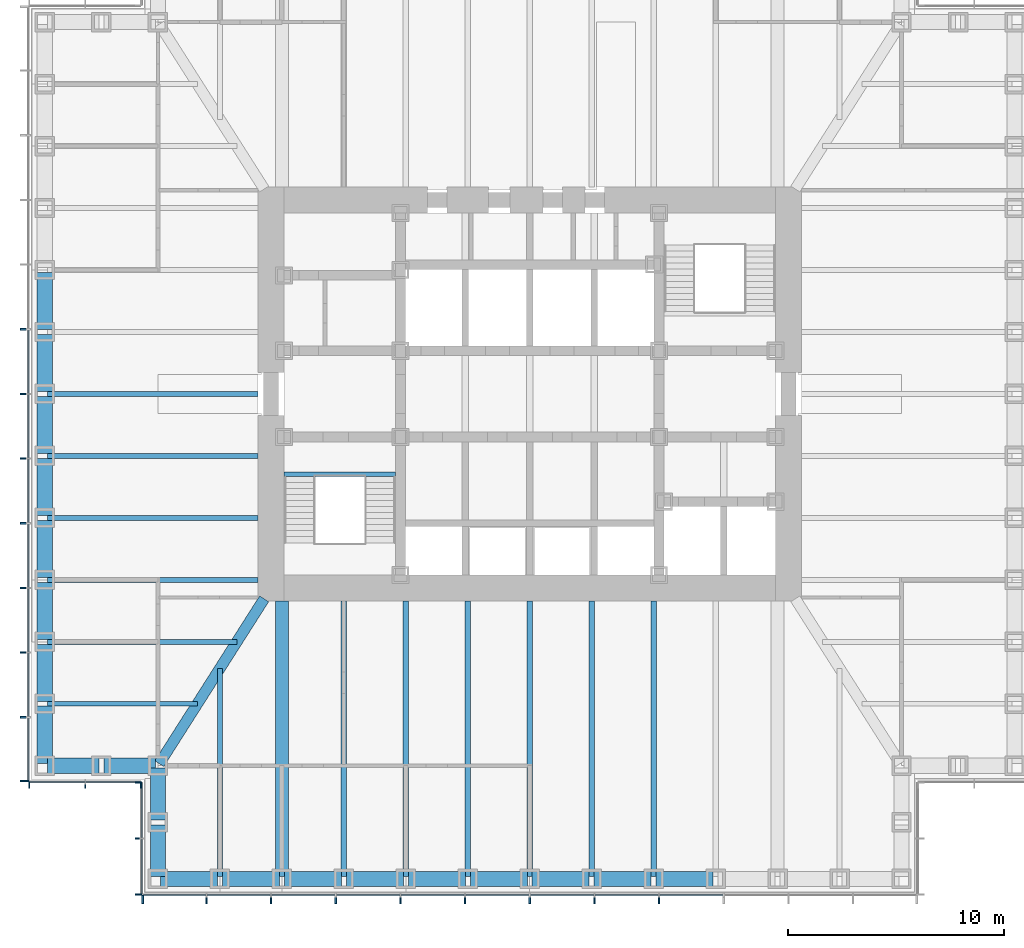
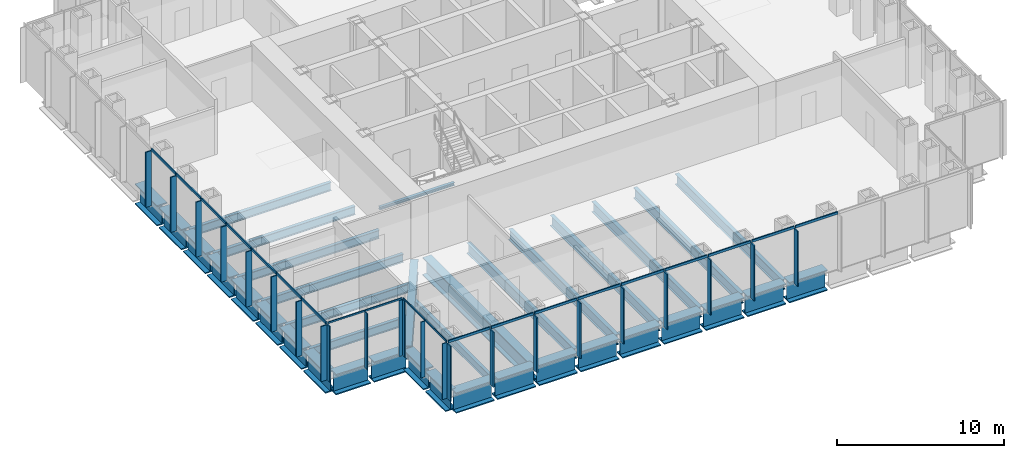
# One storey, part 2 of 17: 43 members, 37 beams, 4 elements without a shape of their own.
"""IFC4 building model written with IfcOpenShell, lengths in metres."""

from ifc_helpers import new_model, si_unit, direction, frame, origin, origin_2d, place, context, subcontext, project, spatial, rectangle, i_section, extrude, material, material_profile, profile_set, type_object, element, aggregate, save


model = new_model("IFC4")

# Units and contexts
model_context = context("Model", 3, precision=1e-05, world=origin(), true_north=direction((0.0, 1.0)))
body_context = subcontext(model_context, "Body", "Model", "MODEL_VIEW")
ifc_project = project(units=[si_unit("LENGTHUNIT", "METRE"), si_unit("AREAUNIT", "SQUARE_METRE"), si_unit("VOLUMEUNIT", "CUBIC_METRE"), si_unit("PLANEANGLEUNIT", "RADIAN"), si_unit("MASSUNIT", "GRAM", prefix="KILO")], contexts=[model_context])

# Site, building, storey
site_placement = place(None, origin())
site = spatial("IfcSite", under=ifc_project, at=site_placement, CompositionType="ELEMENT")
building_placement = place(site_placement, origin())
building = spatial("IfcBuilding", under=site, at=building_placement, Name="Daluyong Arena Tower", CompositionType="ELEMENT")
storey_placement = place(building_placement, frame((0.0, 0.0, 158.5)))
storey = spatial("IfcBuildingStorey", under=building, at=storey_placement, Name="L35", CompositionType="ELEMENT", Elevation=158.5)

# Curtain wall, members
ifc_material_1 = material(Name="Bronze anodised aluminium and glass", Category="aluminium")
curtain_wall_type_1 = type_object("IfcCurtainWallType", Name="Curtain wall CW2", PredefinedType="USERDEFINED", material=ifc_material_1)
curtain_wall_1_placement = place(storey_placement, origin())
curtain_wall_1 = element("IfcCurtainWall", 1, at=curtain_wall_1_placement, inside=storey, type_object=curtain_wall_type_1, Name="curtain wall L35 S", ObjectType="UNITISED CURTAIN WALL", PredefinedType="USERDEFINED")
ifc_material_2 = material(Name="Bronze anodised aluminium fin", Category="aluminium")
ifc_material_profile_1 = material_profile(ifc_material_2, rectangle(XDim=0.39990234375, YDim=0.080078125, at=origin_2d()))
ifc_profile_set_1 = profile_set([ifc_material_profile_1], Name="Bronze anodised aluminium fin")
member_type_1 = type_object("IfcMemberType", Name="CW2 bronze fin 400x80", PredefinedType="MULLION", material=ifc_profile_set_1)
member_1_placement = place(storey_placement, frame((38.0400390625, 56.550048828125, 0.0), z_axis=(0.0, 0.0, 1.0), x_axis=(0.0, 1.0, 0.0)))
member_1 = element("IfcMember", 2, at=member_1_placement, type_object=member_type_1, Name="curtain wall L35 S fin 1", PredefinedType="MULLION", context=body_context, shape_type="SweptSolid", body=[
    extrude(rectangle(XDim=0.39990234375, YDim=0.080078125, at=origin_2d()), origin(), (0.0, 0.0, 1.0), 4.02001953125),
])
member_2_placement = place(storey_placement, frame((41.0, 56.550048828125, 0.0), z_axis=(0.0, 0.0, 1.0), x_axis=(0.0, 1.0, 0.0)))
member_2 = element("IfcMember", 3, at=member_2_placement, type_object=member_type_1, Name="curtain wall L35 S fin 2", PredefinedType="MULLION", context=body_context, shape_type="SweptSolid", body=[
    extrude(rectangle(XDim=0.39990234375, YDim=0.080078125, at=origin_2d()), origin(), (0.0, 0.0, 1.0), 4.02001953125),
])
member_3_placement = place(storey_placement, frame((44.0, 56.550048828125, 0.0), z_axis=(0.0, 0.0, 1.0), x_axis=(0.0, 1.0, 0.0)))
member_3 = element("IfcMember", 4, at=member_3_placement, type_object=member_type_1, Name="curtain wall L35 S fin 3", PredefinedType="MULLION", context=body_context, shape_type="SweptSolid", body=[
    extrude(rectangle(XDim=0.39990234375, YDim=0.080078125, at=origin_2d()), origin(), (0.0, 0.0, 1.0), 4.02001953125),
])
member_4_placement = place(storey_placement, frame((47.0, 56.550048828125, 0.0), z_axis=(0.0, 0.0, 1.0), x_axis=(0.0, 1.0, 0.0)))
member_4 = element("IfcMember", 5, at=member_4_placement, type_object=member_type_1, Name="curtain wall L35 S fin 4", PredefinedType="MULLION", context=body_context, shape_type="SweptSolid", body=[
    extrude(rectangle(XDim=0.39990234375, YDim=0.080078125, at=origin_2d()), origin(), (0.0, 0.0, 1.0), 4.02001953125),
])
member_5_placement = place(storey_placement, frame((50.0, 56.550048828125, 0.0), z_axis=(0.0, 0.0, 1.0), x_axis=(0.0, 1.0, 0.0)))
member_5 = element("IfcMember", 6, at=member_5_placement, type_object=member_type_1, Name="curtain wall L35 S fin 5", PredefinedType="MULLION", context=body_context, shape_type="SweptSolid", body=[
    extrude(rectangle(XDim=0.39990234375, YDim=0.080078125, at=origin_2d()), origin(), (0.0, 0.0, 1.0), 4.02001953125),
])
member_6_placement = place(storey_placement, frame((53.0, 56.550048828125, 0.0), z_axis=(0.0, 0.0, 1.0), x_axis=(0.0, 1.0, 0.0)))
member_6 = element("IfcMember", 7, at=member_6_placement, type_object=member_type_1, Name="curtain wall L35 S fin 6", PredefinedType="MULLION", context=body_context, shape_type="SweptSolid", body=[
    extrude(rectangle(XDim=0.39990234375, YDim=0.080078125, at=origin_2d()), origin(), (0.0, 0.0, 1.0), 4.02001953125),
])
member_7_placement = place(storey_placement, frame((56.0, 56.550048828125, 0.0), z_axis=(0.0, 0.0, 1.0), x_axis=(0.0, 1.0, 0.0)))
member_7 = element("IfcMember", 8, at=member_7_placement, type_object=member_type_1, Name="curtain wall L35 S fin 7", PredefinedType="MULLION", context=body_context, shape_type="SweptSolid", body=[
    extrude(rectangle(XDim=0.39990234375, YDim=0.080078125, at=origin_2d()), origin(), (0.0, 0.0, 1.0), 4.02001953125),
])
member_8_placement = place(storey_placement, frame((59.0, 56.550048828125, 0.0), z_axis=(0.0, 0.0, 1.0), x_axis=(0.0, 1.0, 0.0)))
member_8 = element("IfcMember", 9, at=member_8_placement, type_object=member_type_1, Name="curtain wall L35 S fin 8", PredefinedType="MULLION", context=body_context, shape_type="SweptSolid", body=[
    extrude(rectangle(XDim=0.39990234375, YDim=0.080078125, at=origin_2d()), origin(), (0.0, 0.0, 1.0), 4.02001953125),
])
member_9_placement = place(storey_placement, frame((62.0, 56.550048828125, 0.0), z_axis=(0.0, 0.0, 1.0), x_axis=(0.0, 1.0, 0.0)))
member_9 = element("IfcMember", 10, at=member_9_placement, type_object=member_type_1, Name="curtain wall L35 S fin 9", PredefinedType="MULLION", context=body_context, shape_type="SweptSolid", body=[
    extrude(rectangle(XDim=0.39990234375, YDim=0.080078125, at=origin_2d()), origin(), (0.0, 0.0, 1.0), 4.02001953125),
])

curtain_wall_2_placement = place(storey_placement, origin())
curtain_wall_2 = element("IfcCurtainWall", 11, at=curtain_wall_2_placement, inside=storey, type_object=curtain_wall_type_1, Name="curtain wall L35 W", ObjectType="UNITISED CURTAIN WALL", PredefinedType="USERDEFINED")
member_10_placement = place(storey_placement, frame((32.550048828125, 83.0, 0.0), z_axis=(0.0, 0.0, 1.0), x_axis=(1.0, 0.0, 0.0)))
member_10 = element("IfcMember", 12, at=member_10_placement, type_object=member_type_1, Name="curtain wall L35 W fin 6", PredefinedType="MULLION", context=body_context, shape_type="SweptSolid", body=[
    extrude(rectangle(XDim=0.39990234375, YDim=0.080078125, at=origin_2d()), origin(), (0.0, 0.0, 1.0), 4.02001953125),
])
member_11_placement = place(storey_placement, frame((32.550048828125, 80.0, 0.0), z_axis=(0.0, 0.0, 1.0), x_axis=(1.0, 0.0, 0.0)))
member_11 = element("IfcMember", 13, at=member_11_placement, type_object=member_type_1, Name="curtain wall L35 W fin 7", PredefinedType="MULLION", context=body_context, shape_type="SweptSolid", body=[
    extrude(rectangle(XDim=0.39990234375, YDim=0.080078125, at=origin_2d()), origin(), (0.0, 0.0, 1.0), 4.02001953125),
])
member_12_placement = place(storey_placement, frame((32.550048828125, 77.0, 0.0), z_axis=(0.0, 0.0, 1.0), x_axis=(1.0, 0.0, 0.0)))
member_12 = element("IfcMember", 14, at=member_12_placement, type_object=member_type_1, Name="curtain wall L35 W fin 8", PredefinedType="MULLION", context=body_context, shape_type="SweptSolid", body=[
    extrude(rectangle(XDim=0.39990234375, YDim=0.080078125, at=origin_2d()), origin(), (0.0, 0.0, 1.0), 4.02001953125),
])
member_13_placement = place(storey_placement, frame((32.550048828125, 74.0, 0.0), z_axis=(0.0, 0.0, 1.0), x_axis=(1.0, 0.0, 0.0)))
member_13 = element("IfcMember", 15, at=member_13_placement, type_object=member_type_1, Name="curtain wall L35 W fin 9", PredefinedType="MULLION", context=body_context, shape_type="SweptSolid", body=[
    extrude(rectangle(XDim=0.39990234375, YDim=0.080078125, at=origin_2d()), origin(), (0.0, 0.0, 1.0), 4.02001953125),
])
member_14_placement = place(storey_placement, frame((32.550048828125, 71.0, 0.0), z_axis=(0.0, 0.0, 1.0), x_axis=(1.0, 0.0, 0.0)))
member_14 = element("IfcMember", 16, at=member_14_placement, type_object=member_type_1, Name="curtain wall L35 W fin 10", PredefinedType="MULLION", context=body_context, shape_type="SweptSolid", body=[
    extrude(rectangle(XDim=0.39990234375, YDim=0.080078125, at=origin_2d()), origin(), (0.0, 0.0, 1.0), 4.02001953125),
])
member_15_placement = place(storey_placement, frame((32.550048828125, 68.0, 0.0), z_axis=(0.0, 0.0, 1.0), x_axis=(1.0, 0.0, 0.0)))
member_15 = element("IfcMember", 17, at=member_15_placement, type_object=member_type_1, Name="curtain wall L35 W fin 11", PredefinedType="MULLION", context=body_context, shape_type="SweptSolid", body=[
    extrude(rectangle(XDim=0.39990234375, YDim=0.080078125, at=origin_2d()), origin(), (0.0, 0.0, 1.0), 4.02001953125),
])
member_16_placement = place(storey_placement, frame((32.550048828125, 65.0, 0.0), z_axis=(0.0, 0.0, 1.0), x_axis=(1.0, 0.0, 0.0)))
member_16 = element("IfcMember", 18, at=member_16_placement, type_object=member_type_1, Name="curtain wall L35 W fin 12", PredefinedType="MULLION", context=body_context, shape_type="SweptSolid", body=[
    extrude(rectangle(XDim=0.39990234375, YDim=0.080078125, at=origin_2d()), origin(), (0.0, 0.0, 1.0), 4.02001953125),
])
member_17_placement = place(storey_placement, frame((32.550048828125, 62.0400390625, 0.0), z_axis=(0.0, 0.0, 1.0), x_axis=(1.0, 0.0, 0.0)))
member_17 = element("IfcMember", 19, at=member_17_placement, type_object=member_type_1, Name="curtain wall L35 W fin 13", PredefinedType="MULLION", context=body_context, shape_type="SweptSolid", body=[
    extrude(rectangle(XDim=0.39990234375, YDim=0.080078125, at=origin_2d()), origin(), (0.0, 0.0, 1.0), 4.02001953125),
])

# Member
ifc_material_3 = material(Name="Bronze anodised aluminium", Category="aluminium")
ifc_material_profile_2 = material_profile(ifc_material_3, rectangle(XDim=0.080078125, YDim=0.179931640625, at=origin_2d()))
ifc_profile_set_2 = profile_set([ifc_material_profile_2], Name="Bronze anodised aluminium")
member_type_2 = type_object("IfcMemberType", Name="CW2 stack transom 180x80", PredefinedType="USERDEFINED", material=ifc_profile_set_2)
member_18_placement = place(storey_placement, frame((38.080078125, 56.75, 4.110107421875), z_axis=(1.0, 0.0, 0.0), x_axis=(0.0, 1.0, 0.0)))
member_18 = element("IfcMember", 20, at=member_18_placement, type_object=member_type_2, Name="curtain wall L35 S transom 1", ObjectType="TRANSOM", PredefinedType="USERDEFINED", context=body_context, shape_type="SweptSolid", body=[
    extrude(rectangle(XDim=0.080078125, YDim=0.179931640625, at=origin_2d()), origin(), (0.0, 0.0, 1.0), 2.8798828125),
])

member_19_placement = place(storey_placement, frame((41.0400390625, 56.75, 4.110107421875), z_axis=(1.0, 0.0, 0.0), x_axis=(0.0, 1.0, 0.0)))
member_19 = element("IfcMember", 21, at=member_19_placement, type_object=member_type_2, Name="curtain wall L35 S transom 2", ObjectType="TRANSOM", PredefinedType="USERDEFINED", context=body_context, shape_type="SweptSolid", body=[
    extrude(rectangle(XDim=0.080078125, YDim=0.179931640625, at=origin_2d()), origin(), (0.0, 0.0, 1.0), 2.919921875),
])

member_20_placement = place(storey_placement, frame((44.0400390625, 56.75, 4.110107421875), z_axis=(1.0, 0.0, 0.0), x_axis=(0.0, 1.0, 0.0)))
member_20 = element("IfcMember", 22, at=member_20_placement, type_object=member_type_2, Name="curtain wall L35 S transom 3", ObjectType="TRANSOM", PredefinedType="USERDEFINED", context=body_context, shape_type="SweptSolid", body=[
    extrude(rectangle(XDim=0.080078125, YDim=0.179931640625, at=origin_2d()), origin(), (0.0, 0.0, 1.0), 2.919921875),
])

member_21_placement = place(storey_placement, frame((47.0400390625, 56.75, 4.110107421875), z_axis=(1.0, 0.0, 0.0), x_axis=(0.0, 1.0, 0.0)))
member_21 = element("IfcMember", 23, at=member_21_placement, type_object=member_type_2, Name="curtain wall L35 S transom 4", ObjectType="TRANSOM", PredefinedType="USERDEFINED", context=body_context, shape_type="SweptSolid", body=[
    extrude(rectangle(XDim=0.080078125, YDim=0.179931640625, at=origin_2d()), origin(), (0.0, 0.0, 1.0), 2.919921875),
])

member_22_placement = place(storey_placement, frame((50.0400390625, 56.75, 4.110107421875), z_axis=(1.0, 0.0, 0.0), x_axis=(0.0, 1.0, 0.0)))
member_22 = element("IfcMember", 24, at=member_22_placement, type_object=member_type_2, Name="curtain wall L35 S transom 5", ObjectType="TRANSOM", PredefinedType="USERDEFINED", context=body_context, shape_type="SweptSolid", body=[
    extrude(rectangle(XDim=0.080078125, YDim=0.179931640625, at=origin_2d()), origin(), (0.0, 0.0, 1.0), 2.919921875),
])

member_23_placement = place(storey_placement, frame((53.0400390625, 56.75, 4.110107421875), z_axis=(1.0, 0.0, 0.0), x_axis=(0.0, 1.0, 0.0)))
member_23 = element("IfcMember", 25, at=member_23_placement, type_object=member_type_2, Name="curtain wall L35 S transom 6", ObjectType="TRANSOM", PredefinedType="USERDEFINED", context=body_context, shape_type="SweptSolid", body=[
    extrude(rectangle(XDim=0.080078125, YDim=0.179931640625, at=origin_2d()), origin(), (0.0, 0.0, 1.0), 2.919921875),
])

member_24_placement = place(storey_placement, frame((56.0400390625, 56.75, 4.110107421875), z_axis=(1.0, 0.0, 0.0), x_axis=(0.0, 1.0, 0.0)))
member_24 = element("IfcMember", 26, at=member_24_placement, type_object=member_type_2, Name="curtain wall L35 S transom 7", ObjectType="TRANSOM", PredefinedType="USERDEFINED", context=body_context, shape_type="SweptSolid", body=[
    extrude(rectangle(XDim=0.080078125, YDim=0.179931640625, at=origin_2d()), origin(), (0.0, 0.0, 1.0), 2.919921875),
])

member_25_placement = place(storey_placement, frame((59.0400390625, 56.75, 4.110107421875), z_axis=(1.0, 0.0, 0.0), x_axis=(0.0, 1.0, 0.0)))
member_25 = element("IfcMember", 27, at=member_25_placement, type_object=member_type_2, Name="curtain wall L35 S transom 8", ObjectType="TRANSOM", PredefinedType="USERDEFINED", context=body_context, shape_type="SweptSolid", body=[
    extrude(rectangle(XDim=0.080078125, YDim=0.179931640625, at=origin_2d()), origin(), (0.0, 0.0, 1.0), 2.919921875),
])

member_26_placement = place(storey_placement, frame((62.0400390625, 56.75, 4.110107421875), z_axis=(1.0, 0.0, 0.0), x_axis=(0.0, 1.0, 0.0)))
member_26 = element("IfcMember", 28, at=member_26_placement, type_object=member_type_2, Name="curtain wall L35 S transom 9", ObjectType="TRANSOM", PredefinedType="USERDEFINED", context=body_context, shape_type="SweptSolid", body=[
    extrude(rectangle(XDim=0.080078125, YDim=0.179931640625, at=origin_2d()), origin(), (0.0, 0.0, 1.0), 2.919921875),
])

aggregate(curtain_wall_1, [member_1, member_2, member_3, member_4, member_5, member_6, member_7, member_8, member_9, member_18, member_19, member_20, member_21, member_22, member_23, member_24, member_25, member_26])

member_27_placement = place(storey_placement, frame((32.75, 82.9599609375, 4.110107421875), z_axis=(0.0, -1.0, 0.0), x_axis=(1.0, 0.0, 0.0)))
member_27 = element("IfcMember", 29, at=member_27_placement, type_object=member_type_2, Name="curtain wall L35 W transom 6", ObjectType="TRANSOM", PredefinedType="USERDEFINED", context=body_context, shape_type="SweptSolid", body=[
    extrude(rectangle(XDim=0.080078125, YDim=0.179931640625, at=origin_2d()), origin(), (0.0, 0.0, 1.0), 2.919921875),
])

member_28_placement = place(storey_placement, frame((32.75, 79.9599609375, 4.110107421875), z_axis=(0.0, -1.0, 0.0), x_axis=(1.0, 0.0, 0.0)))
member_28 = element("IfcMember", 30, at=member_28_placement, type_object=member_type_2, Name="curtain wall L35 W transom 7", ObjectType="TRANSOM", PredefinedType="USERDEFINED", context=body_context, shape_type="SweptSolid", body=[
    extrude(rectangle(XDim=0.080078125, YDim=0.179931640625, at=origin_2d()), origin(), (0.0, 0.0, 1.0), 2.919921875),
])

member_29_placement = place(storey_placement, frame((32.75, 76.9599609375, 4.110107421875), z_axis=(0.0, -1.0, 0.0), x_axis=(1.0, 0.0, 0.0)))
member_29 = element("IfcMember", 31, at=member_29_placement, type_object=member_type_2, Name="curtain wall L35 W transom 8", ObjectType="TRANSOM", PredefinedType="USERDEFINED", context=body_context, shape_type="SweptSolid", body=[
    extrude(rectangle(XDim=0.080078125, YDim=0.179931640625, at=origin_2d()), origin(), (0.0, 0.0, 1.0), 2.919921875),
])

member_30_placement = place(storey_placement, frame((32.75, 73.9599609375, 4.110107421875), z_axis=(0.0, -1.0, 0.0), x_axis=(1.0, 0.0, 0.0)))
member_30 = element("IfcMember", 32, at=member_30_placement, type_object=member_type_2, Name="curtain wall L35 W transom 9", ObjectType="TRANSOM", PredefinedType="USERDEFINED", context=body_context, shape_type="SweptSolid", body=[
    extrude(rectangle(XDim=0.080078125, YDim=0.179931640625, at=origin_2d()), origin(), (0.0, 0.0, 1.0), 2.919921875),
])

member_31_placement = place(storey_placement, frame((32.75, 70.9599609375, 4.110107421875), z_axis=(0.0, -1.0, 0.0), x_axis=(1.0, 0.0, 0.0)))
member_31 = element("IfcMember", 33, at=member_31_placement, type_object=member_type_2, Name="curtain wall L35 W transom 10", ObjectType="TRANSOM", PredefinedType="USERDEFINED", context=body_context, shape_type="SweptSolid", body=[
    extrude(rectangle(XDim=0.080078125, YDim=0.179931640625, at=origin_2d()), origin(), (0.0, 0.0, 1.0), 2.919921875),
])

member_32_placement = place(storey_placement, frame((32.75, 67.9599609375, 4.110107421875), z_axis=(0.0, -1.0, 0.0), x_axis=(1.0, 0.0, 0.0)))
member_32 = element("IfcMember", 34, at=member_32_placement, type_object=member_type_2, Name="curtain wall L35 W transom 11", ObjectType="TRANSOM", PredefinedType="USERDEFINED", context=body_context, shape_type="SweptSolid", body=[
    extrude(rectangle(XDim=0.080078125, YDim=0.179931640625, at=origin_2d()), origin(), (0.0, 0.0, 1.0), 2.919921875),
])

member_33_placement = place(storey_placement, frame((32.75, 64.9599609375, 4.110107421875), z_axis=(0.0, -1.0, 0.0), x_axis=(1.0, 0.0, 0.0)))
member_33 = element("IfcMember", 35, at=member_33_placement, type_object=member_type_2, Name="curtain wall L35 W transom 12", ObjectType="TRANSOM", PredefinedType="USERDEFINED", context=body_context, shape_type="SweptSolid", body=[
    extrude(rectangle(XDim=0.080078125, YDim=0.179931640625, at=origin_2d()), origin(), (0.0, 0.0, 1.0), 2.8798828125),
])

aggregate(curtain_wall_2, [member_10, member_11, member_12, member_13, member_14, member_15, member_16, member_17, member_27, member_28, member_29, member_30, member_31, member_32, member_33])

# Curtain wall, members
ifc_material_4 = material(Name="Bronze anodised aluminium and glass", Category="aluminium")
curtain_wall_type_2 = type_object("IfcCurtainWallType", Name="Curtain wall CW7", PredefinedType="USERDEFINED", material=ifc_material_4)
curtain_wall_3_placement = place(storey_placement, origin())
curtain_wall_3 = element("IfcCurtainWall", 36, at=curtain_wall_3_placement, inside=storey, type_object=curtain_wall_type_2, Name="curtain wall L35 SW-S", ObjectType="UNITISED CURTAIN WALL", PredefinedType="USERDEFINED")
ifc_material_5 = material(Name="Bronze anodised aluminium fin", Category="aluminium")
ifc_material_profile_3 = material_profile(ifc_material_5, rectangle(XDim=0.300048828125, YDim=0.06005859375, at=origin_2d()))
ifc_profile_set_3 = profile_set([ifc_material_profile_3], Name="Bronze anodised aluminium fin")
member_type_3 = type_object("IfcMemberType", Name="CW7 bronze fin 300x60", PredefinedType="MULLION", material=ifc_profile_set_3)
member_34_placement = place(storey_placement, frame((32.780029296875, 61.85009765625, 0.0), z_axis=(0.0, 0.0, 1.0), x_axis=(0.0, 1.0, 0.0)))
member_34 = element("IfcMember", 37, at=member_34_placement, type_object=member_type_3, Name="curtain wall L35 SW-S fin 1", PredefinedType="MULLION", context=body_context, shape_type="SweptSolid", body=[
    extrude(rectangle(XDim=0.300048828125, YDim=0.06005859375, at=origin_2d()), origin(), (0.0, 0.0, 1.0), 4.080078125),
])
member_35_placement = place(storey_placement, frame((35.375, 61.85009765625, 0.0), z_axis=(0.0, 0.0, 1.0), x_axis=(0.0, 1.0, 0.0)))
member_35 = element("IfcMember", 38, at=member_35_placement, type_object=member_type_3, Name="curtain wall L35 SW-S fin 2", PredefinedType="MULLION", context=body_context, shape_type="SweptSolid", body=[
    extrude(rectangle(XDim=0.300048828125, YDim=0.06005859375, at=origin_2d()), origin(), (0.0, 0.0, 1.0), 4.080078125),
])
member_36_placement = place(storey_placement, frame((37.969970703125, 61.85009765625, 0.0), z_axis=(0.0, 0.0, 1.0), x_axis=(0.0, 1.0, 0.0)))
member_36 = element("IfcMember", 39, at=member_36_placement, type_object=member_type_3, Name="curtain wall L35 SW-S fin 3", PredefinedType="MULLION", context=body_context, shape_type="SweptSolid", body=[
    extrude(rectangle(XDim=0.300048828125, YDim=0.06005859375, at=origin_2d()), origin(), (0.0, 0.0, 1.0), 4.080078125),
])

curtain_wall_4_placement = place(storey_placement, origin())
curtain_wall_4 = element("IfcCurtainWall", 40, at=curtain_wall_4_placement, inside=storey, type_object=curtain_wall_type_2, Name="curtain wall L35 SW-W", ObjectType="UNITISED CURTAIN WALL", PredefinedType="USERDEFINED")
member_37_placement = place(storey_placement, frame((37.85009765625, 61.969970703125, 0.0), z_axis=(0.0, 0.0, 1.0), x_axis=(1.0, 0.0, 0.0)))
member_37 = element("IfcMember", 41, at=member_37_placement, type_object=member_type_3, Name="curtain wall L35 SW-W fin 1", PredefinedType="MULLION", context=body_context, shape_type="SweptSolid", body=[
    extrude(rectangle(XDim=0.300048828125, YDim=0.06005859375, at=origin_2d()), origin(), (0.0, 0.0, 1.0), 4.080078125),
])
member_38_placement = place(storey_placement, frame((37.85009765625, 59.375, 0.0), z_axis=(0.0, 0.0, 1.0), x_axis=(1.0, 0.0, 0.0)))
member_38 = element("IfcMember", 42, at=member_38_placement, type_object=member_type_3, Name="curtain wall L35 SW-W fin 2", PredefinedType="MULLION", context=body_context, shape_type="SweptSolid", body=[
    extrude(rectangle(XDim=0.300048828125, YDim=0.06005859375, at=origin_2d()), origin(), (0.0, 0.0, 1.0), 4.080078125),
])
member_39_placement = place(storey_placement, frame((37.85009765625, 56.780029296875, 0.0), z_axis=(0.0, 0.0, 1.0), x_axis=(1.0, 0.0, 0.0)))
member_39 = element("IfcMember", 43, at=member_39_placement, type_object=member_type_3, Name="curtain wall L35 SW-W fin 3", PredefinedType="MULLION", context=body_context, shape_type="SweptSolid", body=[
    extrude(rectangle(XDim=0.300048828125, YDim=0.06005859375, at=origin_2d()), origin(), (0.0, 0.0, 1.0), 4.080078125),
])

# Member
ifc_material_6 = material(Name="Bronze anodised aluminium", Category="aluminium")
ifc_material_profile_4 = material_profile(ifc_material_6, rectangle(XDim=0.06005859375, YDim=0.1201171875, at=origin_2d()))
ifc_profile_set_4 = profile_set([ifc_material_profile_4], Name="Bronze anodised aluminium")
member_type_4 = type_object("IfcMemberType", Name="CW7 stack transom 120x60", PredefinedType="USERDEFINED", material=ifc_profile_set_4)
member_40_placement = place(storey_placement, frame((32.81005859375, 62.0, 4.139892578125), z_axis=(1.0, 0.0, 0.0), x_axis=(0.0, 1.0, 0.0)))
member_40 = element("IfcMember", 44, at=member_40_placement, type_object=member_type_4, Name="curtain wall L35 SW-S transom 1", ObjectType="TRANSOM", PredefinedType="USERDEFINED", context=body_context, shape_type="SweptSolid", body=[
    extrude(rectangle(XDim=0.06005859375, YDim=0.1201171875, at=origin_2d()), origin(), (0.0, 0.0, 1.0), 2.534912109375),
])

member_41_placement = place(storey_placement, frame((35.405029296875, 62.0, 4.139892578125), z_axis=(1.0, 0.0, 0.0), x_axis=(0.0, 1.0, 0.0)))
member_41 = element("IfcMember", 45, at=member_41_placement, type_object=member_type_4, Name="curtain wall L35 SW-S transom 2", ObjectType="TRANSOM", PredefinedType="USERDEFINED", context=body_context, shape_type="SweptSolid", body=[
    extrude(rectangle(XDim=0.06005859375, YDim=0.1201171875, at=origin_2d()), origin(), (0.0, 0.0, 1.0), 2.534912109375),
])

aggregate(curtain_wall_3, [member_34, member_35, member_36, member_40, member_41])

member_42_placement = place(storey_placement, frame((38.0, 61.93994140625, 4.139892578125), z_axis=(0.0, -1.0, 0.0), x_axis=(1.0, 0.0, 0.0)))
member_42 = element("IfcMember", 46, at=member_42_placement, type_object=member_type_4, Name="curtain wall L35 SW-W transom 1", ObjectType="TRANSOM", PredefinedType="USERDEFINED", context=body_context, shape_type="SweptSolid", body=[
    extrude(rectangle(XDim=0.06005859375, YDim=0.1201171875, at=origin_2d()), origin(), (0.0, 0.0, 1.0), 2.534912109375),
])

member_43_placement = place(storey_placement, frame((38.0, 59.344970703125, 4.139892578125), z_axis=(0.0, -1.0, 0.0), x_axis=(1.0, 0.0, 0.0)))
member_43 = element("IfcMember", 47, at=member_43_placement, type_object=member_type_4, Name="curtain wall L35 SW-W transom 2", ObjectType="TRANSOM", PredefinedType="USERDEFINED", context=body_context, shape_type="SweptSolid", body=[
    extrude(rectangle(XDim=0.06005859375, YDim=0.1201171875, at=origin_2d()), origin(), (0.0, 0.0, 1.0), 2.534912109375),
])

aggregate(curtain_wall_4, [member_37, member_38, member_39, member_42, member_43])

# Beams
ifc_material_7 = material(Name="Steel ASTM A572 Grade 50", Category="steel")
ifc_material_profile_5 = material_profile(ifc_material_7, i_section(OverallWidth=0.5, OverallDepth=1.0, WebThickness=0.03, FlangeThickness=0.06, at=origin_2d()))
ifc_profile_set_5 = profile_set([ifc_material_profile_5], Name="Steel ASTM A572 Grade 50")
beam_type_1 = type_object("IfcBeamType", Name="Corner girder TB1000X500", PredefinedType="BEAM", material=ifc_profile_set_5)
beam_1_placement = place(storey_placement, frame((38.811767578125, 62.846923828125, -0.659912109375), z_axis=(0.536872006459, 0.843663705916, 0.0), x_axis=(-0.843663705916, 0.536872006459, 0.0)))
element("IfcBeam", 48, at=beam_1_placement, inside=storey, type_object=beam_type_1, Name="corner girder DG2", PredefinedType="BEAM", context=body_context, shape_type="SweptSolid", body=[
    extrude(i_section(OverallWidth=0.5, OverallDepth=1.0, WebThickness=0.03, FlangeThickness=0.06, at=origin_2d()), origin(), (0.0, 0.0, 1.0), 9.06396484375),
])
ifc_material_8 = material(Name="Steel ASTM A572 Grade 50", Category="steel")
ifc_material_profile_6 = material_profile(ifc_material_8, i_section(OverallWidth=0.60009765625, OverallDepth=1.300048828125, WebThickness=0.035, FlangeThickness=0.07, at=origin_2d()))
ifc_profile_set_6 = profile_set([ifc_material_profile_6], Name="Steel ASTM A572 Grade 50")
beam_type_2 = type_object("IfcBeamType", Name="Floor beam TB1300X600", PredefinedType="BEAM", material=ifc_profile_set_6)
beam_2_placement = place(storey_placement, frame((44.5, 57.614990234375, -0.81005859375), z_axis=(0.0, 1.0, 0.0), x_axis=(-1.0, 0.0, 0.0)))
element("IfcBeam", 49, at=beam_2_placement, inside=storey, type_object=beam_type_2, Name="floor beam FB7", PredefinedType="BEAM", context=body_context, shape_type="SweptSolid", body=[
    extrude(i_section(OverallWidth=0.60009765625, OverallDepth=1.300048828125, WebThickness=0.035, FlangeThickness=0.07, at=origin_2d()), origin(), (0.0, 0.0, 1.0), 12.784912109375),
])
ifc_material_9 = material(Name="Steel ASTM A992 Grade 50", Category="steel")
ifc_material_profile_7 = material_profile(ifc_material_9, i_section(OverallWidth=0.22900390625, OverallDepth=0.612060546875, WebThickness=0.011962890625, FlangeThickness=0.01953125, at=origin_2d()))
ifc_profile_set_7 = profile_set([ifc_material_profile_7], Name="Steel ASTM A992 Grade 50")
beam_type_3 = type_object("IfcBeamType", Name="Floor beam W24X84", PredefinedType="BEAM", material=ifc_profile_set_7)
beam_3_placement = place(storey_placement, frame((41.625, 57.614990234375, -0.466064453125), z_axis=(0.0, 1.0, 0.0), x_axis=(-1.0, 0.0, 0.0)))
element("IfcBeam", 50, at=beam_3_placement, inside=storey, type_object=beam_type_3, Name="floor beam FB3", PredefinedType="BEAM", context=body_context, shape_type="SweptSolid", body=[
    extrude(i_section(OverallWidth=0.22900390625, OverallDepth=0.612060546875, WebThickness=0.011962890625, FlangeThickness=0.01953125, at=origin_2d()), origin(), (0.0, 0.0, 1.0), 9.65283203125),
])
for number, where, z_axis, x_axis, name in (
    (51, (33.614990234375, 80.0, -0.466064453125), (1.0, 0.0, 0.0), (0.0, 1.0, 0.0), "floor beam FB3"),
    (52, (33.614990234375, 77.125, -0.466064453125), (1.0, 0.0, 0.0), (0.0, 1.0, 0.0), "floor beam FB3"),
    (53, (33.614990234375, 74.25, -0.466064453125), (1.0, 0.0, 0.0), (0.0, 1.0, 0.0), "floor beam FB3"),
    (54, (33.614990234375, 71.375, -0.466064453125), (1.0, 0.0, 0.0), (0.0, 1.0, 0.0), "floor beam FB3"),
):
    element("IfcBeam", number, at=place(storey_placement, frame(where, z_axis=z_axis, x_axis=x_axis)), inside=storey, type_object=beam_type_3, Name=name, PredefinedType="BEAM", context=body_context, shape_type="SweptSolid", body=[
        extrude(i_section(OverallWidth=0.22900390625, OverallDepth=0.612060546875, WebThickness=0.011962890625, FlangeThickness=0.01953125, at=origin_2d()), origin(), (0.0, 0.0, 1.0), 9.784912109375),
    ])
beam_4_placement = place(storey_placement, frame((33.614990234375, 68.5, -0.466064453125), z_axis=(1.0, 0.0, 0.0), x_axis=(0.0, 1.0, 0.0)))
element("IfcBeam", 55, at=beam_4_placement, inside=storey, type_object=beam_type_3, Name="floor beam FB3", PredefinedType="BEAM", context=body_context, shape_type="SweptSolid", body=[
    extrude(i_section(OverallWidth=0.22900390625, OverallDepth=0.612060546875, WebThickness=0.011962890625, FlangeThickness=0.01953125, at=origin_2d()), origin(), (0.0, 0.0, 1.0), 8.794189453125),
])
beam_5_placement = place(storey_placement, frame((33.614990234375, 65.625, -0.466064453125), z_axis=(1.0, 0.0, 0.0), x_axis=(0.0, 1.0, 0.0)))
element("IfcBeam", 56, at=beam_5_placement, inside=storey, type_object=beam_type_3, Name="floor beam FB3", PredefinedType="BEAM", context=body_context, shape_type="SweptSolid", body=[
    extrude(i_section(OverallWidth=0.22900390625, OverallDepth=0.612060546875, WebThickness=0.011962890625, FlangeThickness=0.01953125, at=origin_2d()), origin(), (0.0, 0.0, 1.0), 6.964599609375),
])
ifc_material_10 = material(Name="Steel ASTM A992 Grade 50", Category="steel")
ifc_material_profile_8 = material_profile(ifc_material_10, i_section(OverallWidth=0.2666015625, OverallDepth=0.761962890625, WebThickness=0.014404296875, FlangeThickness=0.021484375, at=origin_2d()))
ifc_profile_set_8 = profile_set([ifc_material_profile_8], Name="Steel ASTM A992 Grade 50")
beam_type_4 = type_object("IfcBeamType", Name="Floor beam W30X116", PredefinedType="BEAM", material=ifc_profile_set_8)
for number, where, z_axis, x_axis, name in (
    (57, (47.375, 57.614990234375, -0.541015625), (0.0, 1.0, 0.0), (-1.0, 0.0, 0.0), "floor beam FB4"),
    (58, (50.25, 57.614990234375, -0.541015625), (0.0, 1.0, 0.0), (-1.0, 0.0, 0.0), "floor beam FB4"),
    (59, (53.125, 57.614990234375, -0.541015625), (0.0, 1.0, 0.0), (-1.0, 0.0, 0.0), "floor beam FB4"),
    (60, (56.0, 57.614990234375, -0.541015625), (0.0, 1.0, 0.0), (-1.0, 0.0, 0.0), "floor beam FB4"),
    (61, (58.875, 57.614990234375, -0.541015625), (0.0, 1.0, 0.0), (-1.0, 0.0, 0.0), "floor beam FB4"),
    (62, (61.75, 57.614990234375, -0.541015625), (0.0, 1.0, 0.0), (-1.0, 0.0, 0.0), "floor beam FB4"),
):
    element("IfcBeam", number, at=place(storey_placement, frame(where, z_axis=z_axis, x_axis=x_axis)), inside=storey, type_object=beam_type_4, Name=name, PredefinedType="BEAM", context=body_context, shape_type="SweptSolid", body=[
        extrude(i_section(OverallWidth=0.2666015625, OverallDepth=0.761962890625, WebThickness=0.014404296875, FlangeThickness=0.021484375, at=origin_2d()), origin(), (0.0, 0.0, 1.0), 12.784912109375),
    ])
ifc_material_11 = material(Name="Steel ASTM A572 Grade 50", Category="steel")
ifc_material_profile_9 = material_profile(ifc_material_11, i_section(OverallWidth=0.699951171875, OverallDepth=1.5, WebThickness=0.04, FlangeThickness=0.08, at=origin_2d()))
ifc_profile_set_9 = profile_set([ifc_material_profile_9], Name="Steel ASTM A572 Grade 50")
beam_type_5 = type_object("IfcBeamType", Name="Spandrel Z2 PG1500X700", PredefinedType="SPANDREL", material=ifc_profile_set_9)
for number, where, z_axis, x_axis, name in (
    (63, (38.864990234375, 57.5, -0.909912109375), (1.0, 0.0, 0.0), (0.0, 1.0, 0.0), "spandrel z2 SB6"),
    (64, (41.739990234375, 57.5, -0.909912109375), (1.0, 0.0, 0.0), (0.0, 1.0, 0.0), "spandrel z2 SB6"),
    (65, (44.614990234375, 57.5, -0.909912109375), (1.0, 0.0, 0.0), (0.0, 1.0, 0.0), "spandrel z2 SB6"),
    (66, (47.489990234375, 57.5, -0.909912109375), (1.0, 0.0, 0.0), (0.0, 1.0, 0.0), "spandrel z2 SB6"),
    (67, (50.364990234375, 57.5, -0.909912109375), (1.0, 0.0, 0.0), (0.0, 1.0, 0.0), "spandrel z2 SB6"),
    (68, (53.239990234375, 57.5, -0.909912109375), (1.0, 0.0, 0.0), (0.0, 1.0, 0.0), "spandrel z2 SB6"),
    (69, (56.114990234375, 57.5, -0.909912109375), (1.0, 0.0, 0.0), (0.0, 1.0, 0.0), "spandrel z2 SB6"),
    (70, (58.989990234375, 57.5, -0.909912109375), (1.0, 0.0, 0.0), (0.0, 1.0, 0.0), "spandrel z2 SB6"),
    (71, (61.864990234375, 57.5, -0.909912109375), (1.0, 0.0, 0.0), (0.0, 1.0, 0.0), "spandrel z2 SB6"),
    (72, (33.5, 85.635009765625, -0.909912109375), (0.0, -1.0, 0.0), (1.0, 0.0, 0.0), "spandrel z2 SB6"),
    (73, (33.5, 82.760009765625, -0.909912109375), (0.0, -1.0, 0.0), (1.0, 0.0, 0.0), "spandrel z2 SB6"),
    (74, (33.5, 79.885009765625, -0.909912109375), (0.0, -1.0, 0.0), (1.0, 0.0, 0.0), "spandrel z2 SB6"),
    (75, (33.5, 77.010009765625, -0.909912109375), (0.0, -1.0, 0.0), (1.0, 0.0, 0.0), "spandrel z2 SB6"),
    (76, (33.5, 74.135009765625, -0.909912109375), (0.0, -1.0, 0.0), (1.0, 0.0, 0.0), "spandrel z2 SB6"),
    (77, (33.5, 71.260009765625, -0.909912109375), (0.0, -1.0, 0.0), (1.0, 0.0, 0.0), "spandrel z2 SB6"),
    (78, (33.5, 68.385009765625, -0.909912109375), (0.0, -1.0, 0.0), (1.0, 0.0, 0.0), "spandrel z2 SB6"),
    (79, (33.5, 65.510009765625, -0.909912109375), (0.0, -1.0, 0.0), (1.0, 0.0, 0.0), "spandrel z2 SB6"),
):
    element("IfcBeam", number, at=place(storey_placement, frame(where, z_axis=z_axis, x_axis=x_axis)), inside=storey, type_object=beam_type_5, Name=name, PredefinedType="SPANDREL", context=body_context, shape_type="SweptSolid", body=[
        extrude(i_section(OverallWidth=0.699951171875, OverallDepth=1.5, WebThickness=0.04, FlangeThickness=0.08, at=origin_2d()), origin(), (0.0, 0.0, 1.0), 2.64501953125),
    ])
for number, where, z_axis, x_axis, name in (
    (80, (33.614990234375, 62.75, -0.909912109375), (1.0, 0.0, 0.0), (0.0, 1.0, 0.0), "spandrel z2 SB6"),
    (81, (36.239990234375, 62.75, -0.909912109375), (1.0, 0.0, 0.0), (0.0, 1.0, 0.0), "spandrel z2 SB6"),
    (82, (38.75, 62.635009765625, -0.909912109375), (0.0, -1.0, 0.0), (1.0, 0.0, 0.0), "spandrel z2 SB6"),
    (83, (38.75, 60.010009765625, -0.909912109375), (0.0, -1.0, 0.0), (1.0, 0.0, 0.0), "spandrel z2 SB6"),
):
    element("IfcBeam", number, at=place(storey_placement, frame(where, z_axis=z_axis, x_axis=x_axis)), inside=storey, type_object=beam_type_5, Name=name, PredefinedType="SPANDREL", context=body_context, shape_type="SweptSolid", body=[
        extrude(i_section(OverallWidth=0.699951171875, OverallDepth=1.5, WebThickness=0.04, FlangeThickness=0.08, at=origin_2d()), origin(), (0.0, 0.0, 1.0), 2.39501953125),
    ])
ifc_material_12 = material(Name="Steel ASTM A992 Grade 50", Category="steel")
ifc_material_profile_10 = material_profile(ifc_material_12, i_section(OverallWidth=0.203125, OverallDepth=0.203125, WebThickness=0.00732421875, FlangeThickness=0.010986328125, at=origin_2d()))
ifc_profile_set_10 = profile_set([ifc_material_profile_10], Name="Steel ASTM A992 Grade 50")
beam_type_6 = type_object("IfcBeamType", Name="Stair landing beam W8X31", PredefinedType="BEAM", material=ifc_profile_set_10)
beam_6_placement = place(storey_placement, frame((44.60009765625, 76.276611328125, -0.26171875), z_axis=(1.0, 0.0, 0.0), x_axis=(0.0, 1.0, 0.0)))
element("IfcBeam", 84, at=beam_6_placement, inside=storey, type_object=beam_type_6, Name="exit stair A landing beam", PredefinedType="BEAM", context=body_context, shape_type="SweptSolid", body=[
    extrude(i_section(OverallWidth=0.203125, OverallDepth=0.203125, WebThickness=0.00732421875, FlangeThickness=0.010986328125, at=origin_2d()), origin(), (0.0, 0.0, 1.0), 5.1748046875),
])

save(model, "model.ifc")
